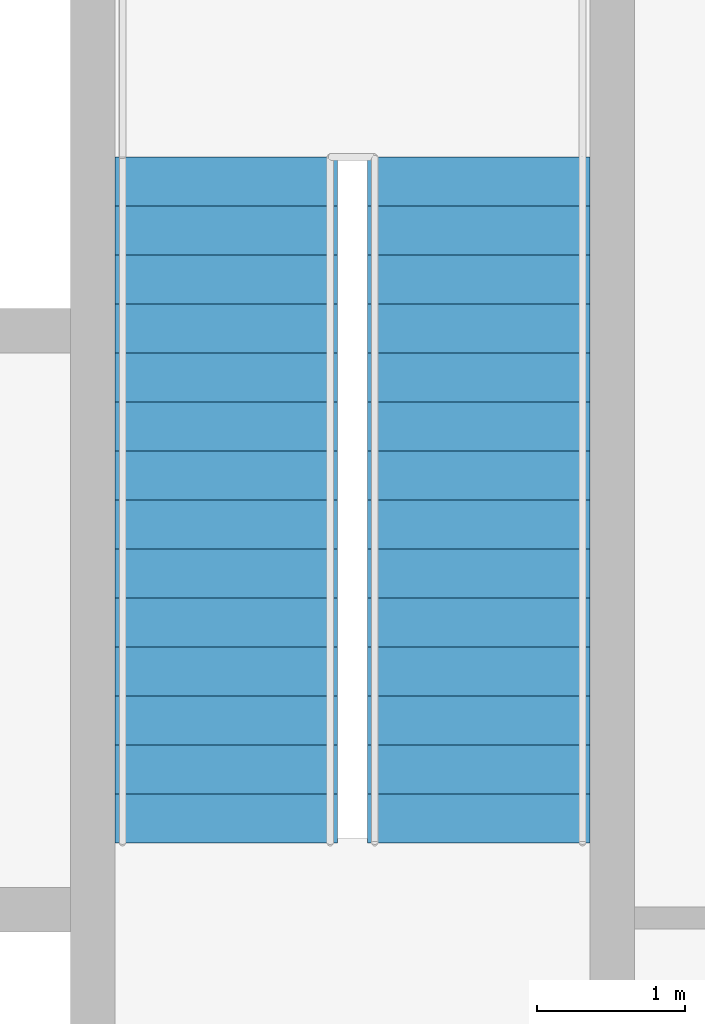
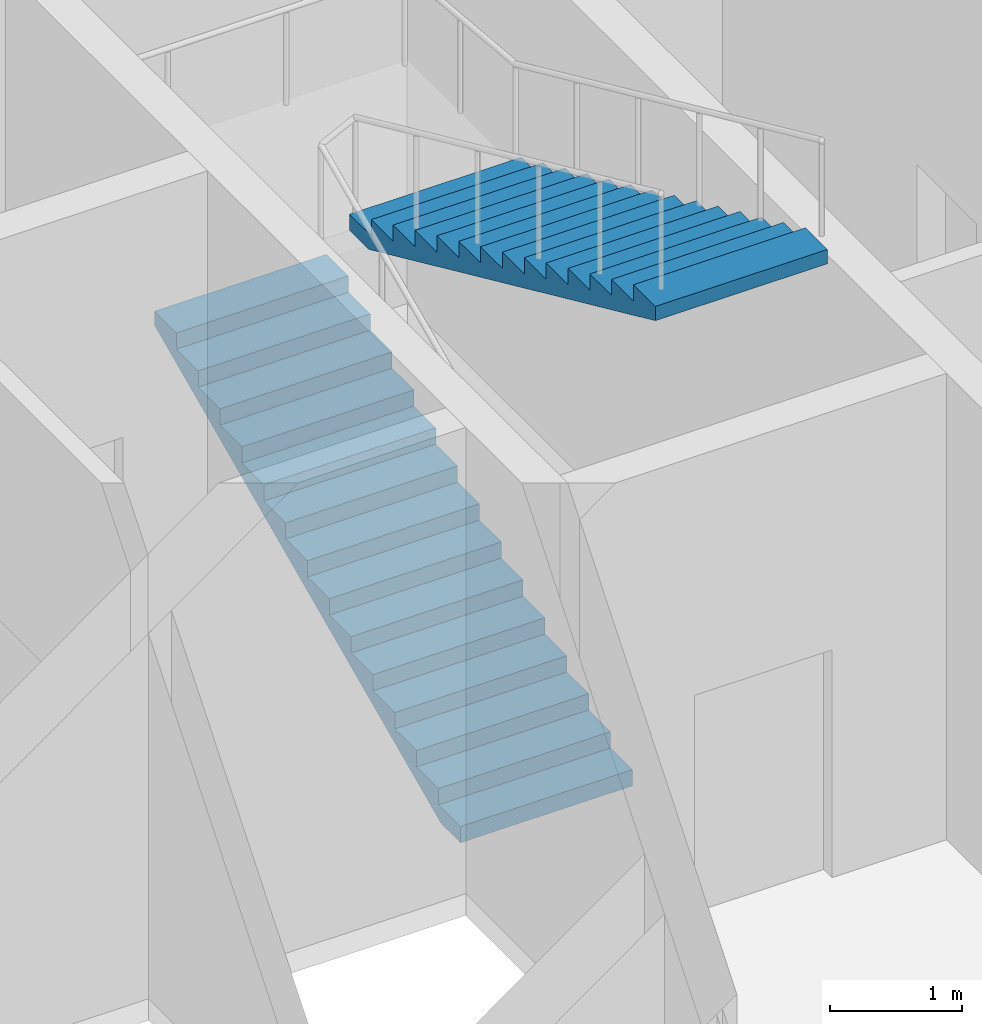
# One storey, part 10 of 11: 2 stair flights, 1 element without a shape of its own.
"""IFC4 building model written with IfcOpenShell, lengths in metres."""

from ifc_helpers import new_model, si_unit, direction, frame, origin, place, context, subcontext, project, spatial, polygons, material, type_object, element, aggregate, save


model = new_model("IFC4")

# Units and contexts
model_context = context("Model", 3, precision=1e-05, world=origin(), true_north=direction((0.0, 1.0)))
body_context = subcontext(model_context, "Body", "Model", "MODEL_VIEW")
ifc_project = project(units=[si_unit("LENGTHUNIT", "METRE"), si_unit("AREAUNIT", "SQUARE_METRE"), si_unit("VOLUMEUNIT", "CUBIC_METRE"), si_unit("PLANEANGLEUNIT", "RADIAN"), si_unit("MASSUNIT", "GRAM", prefix="KILO")], contexts=[model_context])

# Site, building, storey
site_placement = place(None, origin())
site = spatial("IfcSite", under=ifc_project, at=site_placement, CompositionType="ELEMENT")
building_placement = place(site_placement, origin())
building = spatial("IfcBuilding", under=site, at=building_placement, Name="Njiva Tower", CompositionType="ELEMENT")
storey_placement = place(building_placement, frame((0.0, 0.0, 88.8)))
storey = spatial("IfcBuildingStorey", under=building, at=storey_placement, Name="L18", CompositionType="ELEMENT", Elevation=88.8)

# Stair, stair flights
ifc_material = material(Name="Concrete C40/50", Category="concrete")
stair_type = type_object("IfcStairType", Name="ST4 Exit stair 1500", PredefinedType="HALF_TURN_STAIR", material=ifc_material)
stair_placement = place(storey_placement, origin())
stair = element("IfcStair", 1, at=stair_placement, inside=storey, type_object=stair_type, Name="Stair B", PredefinedType="HALF_TURN_STAIR")
stair_flight_type = type_object("IfcStairFlightType", Name="FL4 Stair flight 1500", PredefinedType="STRAIGHT", material=ifc_material)
stair_flight_1_placement = place(storey_placement, frame((11.75, 11.1, 0.0), z_axis=(0.0, 0.0, 1.0), x_axis=(0.0, 1.0, 0.0)))
stair_flight_1 = element("IfcStairFlight", 2, at=stair_flight_1_placement, type_object=stair_flight_type, Name="ST-B flight 1", NumberOfRisers=15, NumberOfTreads=14, PredefinedType="STRAIGHT", RiserHeight=0.15, TreadLength=0.33, context=body_context, shape_type="Tessellation", body=[
    polygons([(0.0, 0.75, 0.0), (0.0, 0.375, 0.0), (0.0, 0.0, 0.0), (0.0, -0.375, 0.0), (0.0, -0.75, 0.0), (0.0, 0.75, 0.15), (0.0, 0.375, 0.15), (0.0, 0.0, 0.15), (0.0, -0.375, 0.15), (0.0, -0.75, 0.15), (0.33, 0.75, 0.15), (0.33, 0.375, 0.15), (0.33, 0.0, 0.15), (0.33, -0.375, 0.15), (0.33, -0.75, 0.15), (0.33, 0.75, 0.3), (0.33, 0.375, 0.3), (0.33, 0.0, 0.3), (0.33, -0.375, 0.3), (0.33, -0.75, 0.3), (0.66, 0.75, 0.3), (0.66, 0.375, 0.3), (0.66, 0.0, 0.3), (0.66, -0.375, 0.3), (0.66, -0.75, 0.3), (0.66, 0.75, 0.45), (0.66, 0.375, 0.45), (0.66, 0.0, 0.45), (0.66, -0.375, 0.45), (0.66, -0.75, 0.45), (0.99, 0.75, 0.45), (0.99, 0.375, 0.45), (0.99, 0.0, 0.45), (0.99, -0.375, 0.45), (0.99, -0.75, 0.45), (0.99, 0.75, 0.6), (0.99, 0.375, 0.6), (0.99, 0.0, 0.6), (0.99, -0.375, 0.6), (0.99, -0.75, 0.6), (1.32, 0.75, 0.6), (1.32, 0.375, 0.6), (1.32, 0.0, 0.6), (1.32, -0.375, 0.6), (1.32, -0.75, 0.6), (1.32, 0.75, 0.75), (1.32, 0.375, 0.75), (1.32, 0.0, 0.75), (1.32, -0.375, 0.75), (1.32, -0.75, 0.75), (1.65, 0.75, 0.75), (1.65, 0.375, 0.75), (1.65, 0.0, 0.75), (1.65, -0.375, 0.75), (1.65, -0.75, 0.75), (1.65, 0.75, 0.9), (1.65, 0.375, 0.9), (1.65, 0.0, 0.9), (1.65, -0.375, 0.9), (1.65, -0.75, 0.9), (1.98, 0.75, 0.9), (1.98, 0.375, 0.9), (1.98, 0.0, 0.9), (1.98, -0.375, 0.9), (1.98, -0.75, 0.9), (1.98, 0.75, 1.05), (1.98, 0.375, 1.05), (1.98, 0.0, 1.05), (1.98, -0.375, 1.05), (1.98, -0.75, 1.05), (2.31, 0.75, 1.05), (2.31, 0.375, 1.05), (2.31, 0.0, 1.05), (2.31, -0.375, 1.05), (2.31, -0.75, 1.05), (2.31, 0.75, 1.2), (2.31, 0.375, 1.2), (2.31, 0.0, 1.2), (2.31, -0.375, 1.2), (2.31, -0.75, 1.2), (2.64, 0.75, 1.2), (2.64, 0.375, 1.2), (2.64, 0.0, 1.2), (2.64, -0.375, 1.2), (2.64, -0.75, 1.2), (2.64, 0.75, 1.35), (2.64, 0.375, 1.35), (2.64, 0.0, 1.35), (2.64, -0.375, 1.35), (2.64, -0.75, 1.35), (2.97, 0.75, 1.35), (2.97, 0.375, 1.35), (2.97, 0.0, 1.35), (2.97, -0.375, 1.35), (2.97, -0.75, 1.35), (2.97, 0.75, 1.5), (2.97, 0.375, 1.5), (2.97, 0.0, 1.5), (2.97, -0.375, 1.5), (2.97, -0.75, 1.5), (3.3, 0.75, 1.5), (3.3, 0.375, 1.5), (3.3, 0.0, 1.5), (3.3, -0.375, 1.5), (3.3, -0.75, 1.5), (3.3, 0.75, 1.65), (3.3, 0.375, 1.65), (3.3, 0.0, 1.65), (3.3, -0.375, 1.65), (3.3, -0.75, 1.65), (3.63, 0.75, 1.65), (3.63, 0.375, 1.65), (3.63, 0.0, 1.65), (3.63, -0.375, 1.65), (3.63, -0.75, 1.65), (3.63, 0.75, 1.8), (3.63, 0.375, 1.8), (3.63, 0.0, 1.8), (3.63, -0.375, 1.8), (3.63, -0.75, 1.8), (3.96, 0.75, 1.8), (3.96, 0.375, 1.8), (3.96, 0.0, 1.8), (3.96, -0.375, 1.8), (3.96, -0.75, 1.8), (3.96, 0.75, 1.95), (3.96, 0.375, 1.95), (3.96, 0.0, 1.95), (3.96, -0.375, 1.95), (3.96, -0.75, 1.95), (4.29, 0.75, 1.95), (4.29, 0.375, 1.95), (4.29, 0.0, 1.95), (4.29, -0.375, 1.95), (4.29, -0.75, 1.95), (4.29, 0.75, 2.1), (4.29, 0.375, 2.1), (4.29, 0.0, 2.1), (4.29, -0.375, 2.1), (4.29, -0.75, 2.1), (4.62, 0.75, 2.1), (4.62, 0.375, 2.1), (4.62, 0.0, 2.1), (4.62, -0.375, 2.1), (4.62, -0.75, 2.1), (4.62, 0.75, 1.9682), (4.62, 0.375, 1.9682), (4.62, 0.0, 1.9682), (4.62, -0.375, 1.9682), (4.62, -0.75, 1.9682), (0.29, 0.75, 0.0), (0.29, 0.375, 0.0), (0.29, 0.0, 0.0), (0.29, -0.375, 0.0), (0.29, -0.75, 0.0)], [[[1, 6, 11, 16, 21, 26, 31, 36, 41, 46, 51, 56, 61, 66, 71, 76, 81, 86, 91, 96, 101, 106, 111, 116, 121, 126, 131, 136, 141, 146, 151]], [[155, 150, 145, 140, 135, 130, 125, 120, 115, 110, 105, 100, 95, 90, 85, 80, 75, 70, 65, 60, 55, 50, 45, 40, 35, 30, 25, 20, 15, 10, 5]], [[6, 1, 2, 7]], [[7, 2, 3, 8]], [[8, 3, 4, 9]], [[9, 4, 5, 10]], [[11, 6, 7, 12]], [[12, 7, 8, 13]], [[13, 8, 9, 14]], [[14, 9, 10, 15]], [[16, 11, 12, 17]], [[17, 12, 13, 18]], [[18, 13, 14, 19]], [[19, 14, 15, 20]], [[21, 16, 17, 22]], [[22, 17, 18, 23]], [[23, 18, 19, 24]], [[24, 19, 20, 25]], [[26, 21, 22, 27]], [[27, 22, 23, 28]], [[28, 23, 24, 29]], [[29, 24, 25, 30]], [[31, 26, 27, 32]], [[32, 27, 28, 33]], [[33, 28, 29, 34]], [[34, 29, 30, 35]], [[36, 31, 32, 37]], [[37, 32, 33, 38]], [[38, 33, 34, 39]], [[39, 34, 35, 40]], [[41, 36, 37, 42]], [[42, 37, 38, 43]], [[43, 38, 39, 44]], [[44, 39, 40, 45]], [[46, 41, 42, 47]], [[47, 42, 43, 48]], [[48, 43, 44, 49]], [[49, 44, 45, 50]], [[51, 46, 47, 52]], [[52, 47, 48, 53]], [[53, 48, 49, 54]], [[54, 49, 50, 55]], [[56, 51, 52, 57]], [[57, 52, 53, 58]], [[58, 53, 54, 59]], [[59, 54, 55, 60]], [[61, 56, 57, 62]], [[62, 57, 58, 63]], [[63, 58, 59, 64]], [[64, 59, 60, 65]], [[66, 61, 62, 67]], [[67, 62, 63, 68]], [[68, 63, 64, 69]], [[69, 64, 65, 70]], [[71, 66, 67, 72]], [[72, 67, 68, 73]], [[73, 68, 69, 74]], [[74, 69, 70, 75]], [[76, 71, 72, 77]], [[77, 72, 73, 78]], [[78, 73, 74, 79]], [[79, 74, 75, 80]], [[81, 76, 77, 82]], [[82, 77, 78, 83]], [[83, 78, 79, 84]], [[84, 79, 80, 85]], [[86, 81, 82, 87]], [[87, 82, 83, 88]], [[88, 83, 84, 89]], [[89, 84, 85, 90]], [[91, 86, 87, 92]], [[92, 87, 88, 93]], [[93, 88, 89, 94]], [[94, 89, 90, 95]], [[96, 91, 92, 97]], [[97, 92, 93, 98]], [[98, 93, 94, 99]], [[99, 94, 95, 100]], [[101, 96, 97, 102]], [[102, 97, 98, 103]], [[103, 98, 99, 104]], [[104, 99, 100, 105]], [[106, 101, 102, 107]], [[107, 102, 103, 108]], [[108, 103, 104, 109]], [[109, 104, 105, 110]], [[111, 106, 107, 112]], [[112, 107, 108, 113]], [[113, 108, 109, 114]], [[114, 109, 110, 115]], [[116, 111, 112, 117]], [[117, 112, 113, 118]], [[118, 113, 114, 119]], [[119, 114, 115, 120]], [[121, 116, 117, 122]], [[122, 117, 118, 123]], [[123, 118, 119, 124]], [[124, 119, 120, 125]], [[126, 121, 122, 127]], [[127, 122, 123, 128]], [[128, 123, 124, 129]], [[129, 124, 125, 130]], [[131, 126, 127, 132]], [[132, 127, 128, 133]], [[133, 128, 129, 134]], [[134, 129, 130, 135]], [[136, 131, 132, 137]], [[137, 132, 133, 138]], [[138, 133, 134, 139]], [[139, 134, 135, 140]], [[141, 136, 137, 142]], [[142, 137, 138, 143]], [[143, 138, 139, 144]], [[144, 139, 140, 145]], [[146, 141, 142, 147]], [[147, 142, 143, 148]], [[148, 143, 144, 149]], [[149, 144, 145, 150]], [[151, 146, 147, 152]], [[152, 147, 148, 153]], [[153, 148, 149, 154]], [[154, 149, 150, 155]], [[1, 151, 152, 2]], [[2, 152, 153, 3]], [[3, 153, 154, 4]], [[4, 154, 155, 5]]], closed=True),
])
stair_flight_2_placement = place(storey_placement, frame((13.45, 15.72, 2.25), z_axis=(0.0, 0.0, 1.0), x_axis=(0.0, -1.0, 0.0)))
stair_flight_2 = element("IfcStairFlight", 3, at=stair_flight_2_placement, type_object=stair_flight_type, Name="ST-B flight 2", NumberOfRisers=15, NumberOfTreads=14, PredefinedType="STRAIGHT", RiserHeight=0.15, TreadLength=0.33, context=body_context, shape_type="Tessellation", body=[
    polygons([(0.0, 0.75, 0.0), (0.0, 0.375, 0.0), (0.0, 0.0, 0.0), (0.0, -0.375, 0.0), (0.0, -0.75, 0.0), (0.0, 0.75, 0.15), (0.0, 0.375, 0.15), (0.0, 0.0, 0.15), (0.0, -0.375, 0.15), (0.0, -0.75, 0.15), (0.33, 0.75, 0.15), (0.33, 0.375, 0.15), (0.33, 0.0, 0.15), (0.33, -0.375, 0.15), (0.33, -0.75, 0.15), (0.33, 0.75, 0.3), (0.33, 0.375, 0.3), (0.33, 0.0, 0.3), (0.33, -0.375, 0.3), (0.33, -0.75, 0.3), (0.66, 0.75, 0.3), (0.66, 0.375, 0.3), (0.66, 0.0, 0.3), (0.66, -0.375, 0.3), (0.66, -0.75, 0.3), (0.66, 0.75, 0.45), (0.66, 0.375, 0.45), (0.66, 0.0, 0.45), (0.66, -0.375, 0.45), (0.66, -0.75, 0.45), (0.99, 0.75, 0.45), (0.99, 0.375, 0.45), (0.99, 0.0, 0.45), (0.99, -0.375, 0.45), (0.99, -0.75, 0.45), (0.99, 0.75, 0.6), (0.99, 0.375, 0.6), (0.99, 0.0, 0.6), (0.99, -0.375, 0.6), (0.99, -0.75, 0.6), (1.32, 0.75, 0.6), (1.32, 0.375, 0.6), (1.32, 0.0, 0.6), (1.32, -0.375, 0.6), (1.32, -0.75, 0.6), (1.32, 0.75, 0.75), (1.32, 0.375, 0.75), (1.32, 0.0, 0.75), (1.32, -0.375, 0.75), (1.32, -0.75, 0.75), (1.65, 0.75, 0.75), (1.65, 0.375, 0.75), (1.65, 0.0, 0.75), (1.65, -0.375, 0.75), (1.65, -0.75, 0.75), (1.65, 0.75, 0.9), (1.65, 0.375, 0.9), (1.65, 0.0, 0.9), (1.65, -0.375, 0.9), (1.65, -0.75, 0.9), (1.98, 0.75, 0.9), (1.98, 0.375, 0.9), (1.98, 0.0, 0.9), (1.98, -0.375, 0.9), (1.98, -0.75, 0.9), (1.98, 0.75, 1.05), (1.98, 0.375, 1.05), (1.98, 0.0, 1.05), (1.98, -0.375, 1.05), (1.98, -0.75, 1.05), (2.31, 0.75, 1.05), (2.31, 0.375, 1.05), (2.31, 0.0, 1.05), (2.31, -0.375, 1.05), (2.31, -0.75, 1.05), (2.31, 0.75, 1.2), (2.31, 0.375, 1.2), (2.31, 0.0, 1.2), (2.31, -0.375, 1.2), (2.31, -0.75, 1.2), (2.64, 0.75, 1.2), (2.64, 0.375, 1.2), (2.64, 0.0, 1.2), (2.64, -0.375, 1.2), (2.64, -0.75, 1.2), (2.64, 0.75, 1.35), (2.64, 0.375, 1.35), (2.64, 0.0, 1.35), (2.64, -0.375, 1.35), (2.64, -0.75, 1.35), (2.97, 0.75, 1.35), (2.97, 0.375, 1.35), (2.97, 0.0, 1.35), (2.97, -0.375, 1.35), (2.97, -0.75, 1.35), (2.97, 0.75, 1.5), (2.97, 0.375, 1.5), (2.97, 0.0, 1.5), (2.97, -0.375, 1.5), (2.97, -0.75, 1.5), (3.3, 0.75, 1.5), (3.3, 0.375, 1.5), (3.3, 0.0, 1.5), (3.3, -0.375, 1.5), (3.3, -0.75, 1.5), (3.3, 0.75, 1.65), (3.3, 0.375, 1.65), (3.3, 0.0, 1.65), (3.3, -0.375, 1.65), (3.3, -0.75, 1.65), (3.63, 0.75, 1.65), (3.63, 0.375, 1.65), (3.63, 0.0, 1.65), (3.63, -0.375, 1.65), (3.63, -0.75, 1.65), (3.63, 0.75, 1.8), (3.63, 0.375, 1.8), (3.63, 0.0, 1.8), (3.63, -0.375, 1.8), (3.63, -0.75, 1.8), (3.96, 0.75, 1.8), (3.96, 0.375, 1.8), (3.96, 0.0, 1.8), (3.96, -0.375, 1.8), (3.96, -0.75, 1.8), (3.96, 0.75, 1.95), (3.96, 0.375, 1.95), (3.96, 0.0, 1.95), (3.96, -0.375, 1.95), (3.96, -0.75, 1.95), (4.29, 0.75, 1.95), (4.29, 0.375, 1.95), (4.29, 0.0, 1.95), (4.29, -0.375, 1.95), (4.29, -0.75, 1.95), (4.29, 0.75, 2.1), (4.29, 0.375, 2.1), (4.29, 0.0, 2.1), (4.29, -0.375, 2.1), (4.29, -0.75, 2.1), (4.62, 0.75, 2.1), (4.62, 0.375, 2.1), (4.62, 0.0, 2.1), (4.62, -0.375, 2.1), (4.62, -0.75, 2.1), (4.62, 0.75, 1.9682), (4.62, 0.375, 1.9682), (4.62, 0.0, 1.9682), (4.62, -0.375, 1.9682), (4.62, -0.75, 1.9682), (0.29, 0.75, 0.0), (0.29, 0.375, 0.0), (0.29, 0.0, 0.0), (0.29, -0.375, 0.0), (0.29, -0.75, 0.0)], [[[1, 6, 11, 16, 21, 26, 31, 36, 41, 46, 51, 56, 61, 66, 71, 76, 81, 86, 91, 96, 101, 106, 111, 116, 121, 126, 131, 136, 141, 146, 151]], [[155, 150, 145, 140, 135, 130, 125, 120, 115, 110, 105, 100, 95, 90, 85, 80, 75, 70, 65, 60, 55, 50, 45, 40, 35, 30, 25, 20, 15, 10, 5]], [[6, 1, 2, 7]], [[7, 2, 3, 8]], [[8, 3, 4, 9]], [[9, 4, 5, 10]], [[11, 6, 7, 12]], [[12, 7, 8, 13]], [[13, 8, 9, 14]], [[14, 9, 10, 15]], [[16, 11, 12, 17]], [[17, 12, 13, 18]], [[18, 13, 14, 19]], [[19, 14, 15, 20]], [[21, 16, 17, 22]], [[22, 17, 18, 23]], [[23, 18, 19, 24]], [[24, 19, 20, 25]], [[26, 21, 22, 27]], [[27, 22, 23, 28]], [[28, 23, 24, 29]], [[29, 24, 25, 30]], [[31, 26, 27, 32]], [[32, 27, 28, 33]], [[33, 28, 29, 34]], [[34, 29, 30, 35]], [[36, 31, 32, 37]], [[37, 32, 33, 38]], [[38, 33, 34, 39]], [[39, 34, 35, 40]], [[41, 36, 37, 42]], [[42, 37, 38, 43]], [[43, 38, 39, 44]], [[44, 39, 40, 45]], [[46, 41, 42, 47]], [[47, 42, 43, 48]], [[48, 43, 44, 49]], [[49, 44, 45, 50]], [[51, 46, 47, 52]], [[52, 47, 48, 53]], [[53, 48, 49, 54]], [[54, 49, 50, 55]], [[56, 51, 52, 57]], [[57, 52, 53, 58]], [[58, 53, 54, 59]], [[59, 54, 55, 60]], [[61, 56, 57, 62]], [[62, 57, 58, 63]], [[63, 58, 59, 64]], [[64, 59, 60, 65]], [[66, 61, 62, 67]], [[67, 62, 63, 68]], [[68, 63, 64, 69]], [[69, 64, 65, 70]], [[71, 66, 67, 72]], [[72, 67, 68, 73]], [[73, 68, 69, 74]], [[74, 69, 70, 75]], [[76, 71, 72, 77]], [[77, 72, 73, 78]], [[78, 73, 74, 79]], [[79, 74, 75, 80]], [[81, 76, 77, 82]], [[82, 77, 78, 83]], [[83, 78, 79, 84]], [[84, 79, 80, 85]], [[86, 81, 82, 87]], [[87, 82, 83, 88]], [[88, 83, 84, 89]], [[89, 84, 85, 90]], [[91, 86, 87, 92]], [[92, 87, 88, 93]], [[93, 88, 89, 94]], [[94, 89, 90, 95]], [[96, 91, 92, 97]], [[97, 92, 93, 98]], [[98, 93, 94, 99]], [[99, 94, 95, 100]], [[101, 96, 97, 102]], [[102, 97, 98, 103]], [[103, 98, 99, 104]], [[104, 99, 100, 105]], [[106, 101, 102, 107]], [[107, 102, 103, 108]], [[108, 103, 104, 109]], [[109, 104, 105, 110]], [[111, 106, 107, 112]], [[112, 107, 108, 113]], [[113, 108, 109, 114]], [[114, 109, 110, 115]], [[116, 111, 112, 117]], [[117, 112, 113, 118]], [[118, 113, 114, 119]], [[119, 114, 115, 120]], [[121, 116, 117, 122]], [[122, 117, 118, 123]], [[123, 118, 119, 124]], [[124, 119, 120, 125]], [[126, 121, 122, 127]], [[127, 122, 123, 128]], [[128, 123, 124, 129]], [[129, 124, 125, 130]], [[131, 126, 127, 132]], [[132, 127, 128, 133]], [[133, 128, 129, 134]], [[134, 129, 130, 135]], [[136, 131, 132, 137]], [[137, 132, 133, 138]], [[138, 133, 134, 139]], [[139, 134, 135, 140]], [[141, 136, 137, 142]], [[142, 137, 138, 143]], [[143, 138, 139, 144]], [[144, 139, 140, 145]], [[146, 141, 142, 147]], [[147, 142, 143, 148]], [[148, 143, 144, 149]], [[149, 144, 145, 150]], [[151, 146, 147, 152]], [[152, 147, 148, 153]], [[153, 148, 149, 154]], [[154, 149, 150, 155]], [[1, 151, 152, 2]], [[2, 152, 153, 3]], [[3, 153, 154, 4]], [[4, 154, 155, 5]]], closed=True),
])
aggregate(stair, [stair_flight_1, stair_flight_2])

save(model, "model.ifc")
